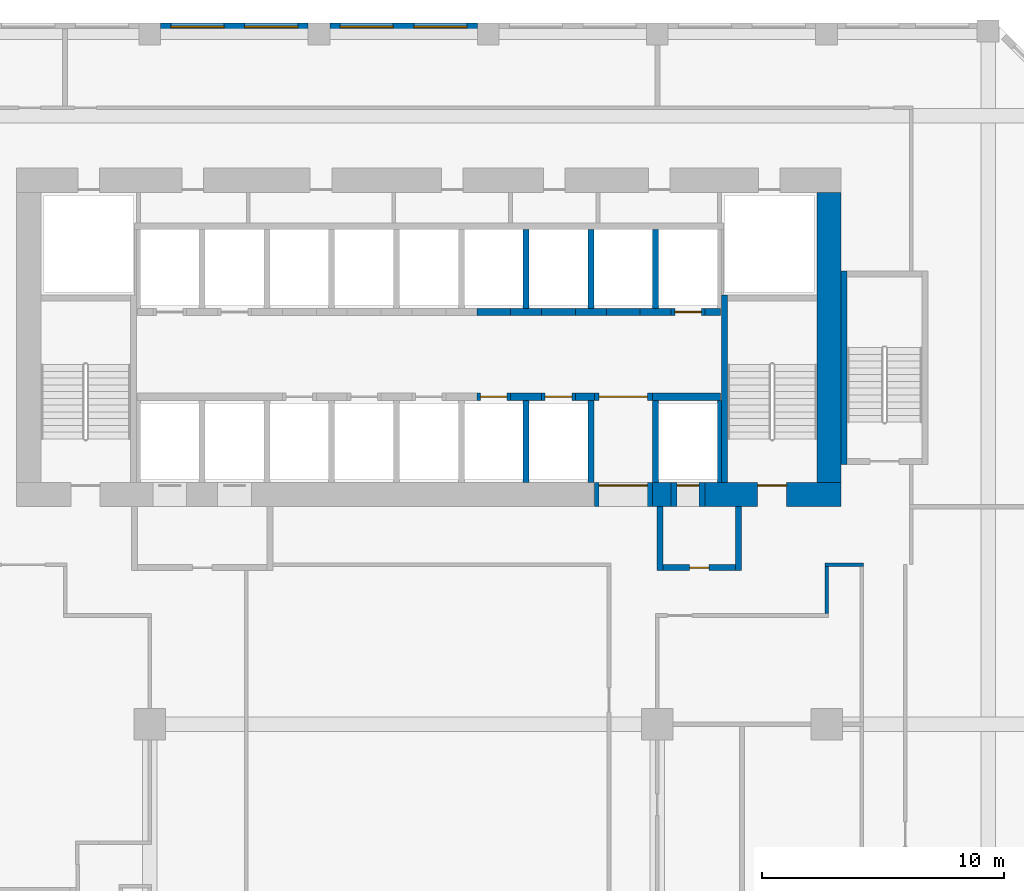
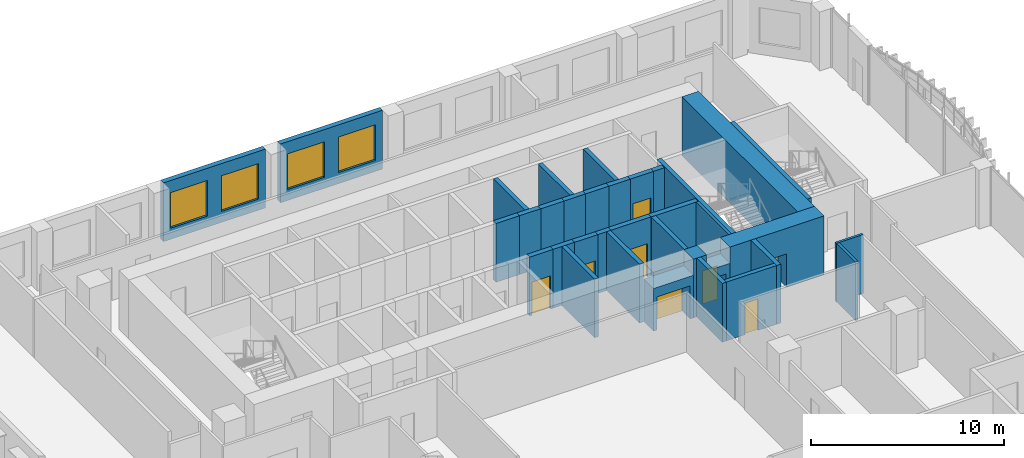
# One storey, part 14 of 24: 35 walls, 8 doors, 4 windows, 12 openings.
"""IFC4 building model written with IfcOpenShell, lengths in metres."""

from ifc_helpers import new_model, si_unit, direction, frame, frame_2d, origin, place, context, subcontext, project, spatial, rectangle, extrude, source, transform, mapped, material, layer, layer_set, type_object, element, fill, save


model = new_model("IFC4")

# Units and contexts
model_context = context("Model", 3, precision=1e-05, world=origin(), true_north=direction((0.0, 1.0)))
body_context = subcontext(model_context, "Body", "Model", "MODEL_VIEW")
ifc_project = project(units=[si_unit("LENGTHUNIT", "METRE"), si_unit("AREAUNIT", "SQUARE_METRE"), si_unit("VOLUMEUNIT", "CUBIC_METRE"), si_unit("PLANEANGLEUNIT", "RADIAN"), si_unit("MASSUNIT", "GRAM", prefix="KILO")], contexts=[model_context])

# Site, building, storey
site_placement = place(None, origin())
site = spatial("IfcSite", under=ifc_project, at=site_placement, CompositionType="ELEMENT")
building_placement = place(site_placement, origin())
building = spatial("IfcBuilding", under=site, at=building_placement, Name="Kilnfold Tower and Market Hall", CompositionType="ELEMENT")
storey_placement = place(building_placement, frame((0.0, 0.0, 35.0)))
storey = spatial("IfcBuildingStorey", under=building, at=storey_placement, Name="L07", CompositionType="ELEMENT", Elevation=35.0)

# Walls
ifc_material_1 = material(Name="Gypsum board on steel studs", Category="steel")
ifc_layer_1 = layer(ifc_material_1, 0.14990234375)
ifc_layer_set_1 = layer_set([ifc_layer_1], Name="Gypsum board on steel studs")
wall_type_1 = type_object("IfcWallType", Name="WALL CORRIDOR 150", PredefinedType="PARTITIONING", material=ifc_layer_set_1)
wall_1_placement = place(storey_placement, frame((17.425048828125, 5.60009765625, 0.0), z_axis=(0.0, 0.0, 1.0), x_axis=(1.0, 0.0, 0.0)))
element("IfcWall", 1, at=wall_1_placement, inside=storey, type_object=wall_type_1, Name="Partition LY07.24", PredefinedType="PARTITIONING", context=body_context, shape_type="SweptSolid", body=[
    extrude(rectangle(XDim=1.599853515625, YDim=0.14990234375, at=frame_2d((0.7998046875, 0.0))), origin(), (0.0, 0.0, 1.0), 3.719970703125),
])
wall_2_placement = place(storey_placement, frame((17.5, 3.574951171875, 0.0), z_axis=(0.0, 0.0, 1.0), x_axis=(0.0, 1.0, 0.0)))
element("IfcWall", 2, at=wall_2_placement, inside=storey, type_object=wall_type_1, Name="Partition LY07.25", PredefinedType="PARTITIONING", context=body_context, shape_type="SweptSolid", body=[
    extrude(rectangle(XDim=1.949951171875, YDim=0.14990234375, at=frame_2d((0.97509765625, 0.0))), origin(), (0.0, 0.0, 1.0), 3.719970703125),
])
ifc_material_2 = material(Name="Concrete C80", Category="concrete")
ifc_layer_2 = layer(ifc_material_2, 1.0)
ifc_layer_set_2 = layer_set([ifc_layer_2], Name="Concrete C80")
wall_type_2 = type_object("IfcWallType", Name="CORE WALL 1000 C80", PredefinedType="SHEAR", material=ifc_layer_set_2)
shared_shape_1 = source(origin(), body_context, "Body", "SweptSolid", [
    extrude(rectangle(XDim=0.780029296875, YDim=1.0, at=frame_2d((0.39013671875, 0.0))), origin(), (0.0, 0.0, 1.0), 3.719970703125),
])
wall_3_placement = place(storey_placement, frame((10.2900390625, 8.5, 0.0), z_axis=(0.0, 0.0, 1.0), x_axis=(1.0, 0.0, 0.0)))
element("IfcWall", 3, at=wall_3_placement, inside=storey, type_object=wall_type_2, Name="Core outer wall south", PredefinedType="SHEAR", context=body_context, shape_type="MappedRepresentation", body=[
    mapped(shared_shape_1, transform((0.0, 0.0, 0.0))),
])

# Wall, opening, door
shared_shape_2 = source(origin(), body_context, "Body", "SweptSolid", [
    extrude(rectangle(XDim=5.630126953125, YDim=1.0, at=frame_2d((2.81494140625, 0.0))), origin(), (0.0, 0.0, 1.0), 3.719970703125),
])
wall_4_placement = place(storey_placement, frame((12.469970703125, 8.5, 0.0), z_axis=(0.0, 0.0, 1.0), x_axis=(1.0, 0.0, 0.0)))
wall_4 = element("IfcWall", 4, at=wall_4_placement, inside=storey, type_object=wall_type_2, Name="Core outer wall south", PredefinedType="SHEAR", context=body_context, shape_type="MappedRepresentation", body=[
    mapped(shared_shape_2, transform((0.0, 0.0, 0.0))),
])
opening_1_placement = place(wall_4_placement, frame((2.179931640625, 0.0, 0.0)))
opening_1 = element("IfcOpeningElement", 5, at=opening_1_placement, cuts=wall_4, Name="Opening SD1", PredefinedType="OPENING", context=body_context, shape_type="SweptSolid", body=[
    extrude(rectangle(XDim=1.199951171875, YDim=2.10009765625, at=frame_2d((0.60009765625, 1.050048828125))), frame((0.0, 0.510009765625, 0.0), z_axis=(0.0, -1.0, 0.0), x_axis=(1.0, 0.0, 0.0)), (0.0, 0.0, 1.0), 1.02001953125),
])
ifc_material_3 = material(Name="Steel door set with fire-resisting leaf", Category="steel")
door_type_1 = type_object("IfcDoorType", Name="STAIR FLOOR DOOR 1200X2100", OperationType="NOTDEFINED", PredefinedType="DOOR", material=ifc_material_3)
door_1_placement = place(opening_1_placement, origin())
door_1 = element("IfcDoor", 6, at=door_1_placement, inside=storey, type_object=door_type_1, Name="Exit stair ST2 door", OperationType="DOUBLE_DOOR_SINGLE_SWING", OverallHeight=2.10009765625, OverallWidth=1.199951171875, PredefinedType="DOOR", context=body_context, shape_type="SweptSolid", body=[
    extrude(rectangle(XDim=1.199951171875, YDim=2.10009765625, at=frame_2d((0.60009765625, 1.050048828125))), frame((0.0, 0.40478515625, 0.0), z_axis=(0.0, -1.0, 0.0), x_axis=(1.0, 0.0, 0.0)), (0.0, 0.0, 1.0), 0.050048828125),
])
fill(opening_1, door_1)

# Walls
shared_shape_3 = source(origin(), body_context, "Body", "SweptSolid", [
    extrude(rectangle(XDim=12.0, YDim=1.0, at=frame_2d((6.0, 0.0))), origin(), (0.0, 0.0, 1.0), 3.719970703125),
])
wall_5_placement = place(storey_placement, frame((17.60009765625, 9.0, 0.0), z_axis=(0.0, 0.0, 1.0), x_axis=(0.0, 1.0, 0.0)))
element("IfcWall", 7, at=wall_5_placement, inside=storey, type_object=wall_type_2, Name="Core outer wall east", PredefinedType="SHEAR", context=body_context, shape_type="MappedRepresentation", body=[
    mapped(shared_shape_3, transform((0.0, 0.0, 0.0))),
])
ifc_material_4 = material(Name="Concrete C80", Category="concrete")
ifc_layer_3 = layer(ifc_material_4, 0.25)
ifc_layer_set_3 = layer_set([ifc_layer_3], Name="Concrete C80")
wall_type_3 = type_object("IfcWallType", Name="CORE WALL 250 C80", PredefinedType="SHEAR", material=ifc_layer_set_3)
shared_shape_4 = source(origin(), body_context, "Body", "SweptSolid", [
    extrude(rectangle(XDim=7.75, YDim=0.25, at=frame_2d((3.875, 0.0))), origin(), (0.0, 0.0, 1.0), 3.719970703125),
])
wall_6_placement = place(storey_placement, frame((13.27490234375, 9.0, 0.0), z_axis=(0.0, 0.0, 1.0), x_axis=(0.0, 1.0, 0.0)))
element("IfcWall", 8, at=wall_6_placement, inside=storey, type_object=wall_type_3, Name="Stair enclosure ST2", PredefinedType="SHEAR", context=body_context, shape_type="MappedRepresentation", body=[
    mapped(shared_shape_4, transform((0.0, 0.0, 0.0))),
])
shared_shape_5 = source(origin(), body_context, "Body", "SweptSolid", [
    extrude(rectangle(XDim=8.0, YDim=0.25, at=frame_2d((4.0, 0.0))), origin(), (0.0, 0.0, 1.0), 3.719970703125),
])
wall_7_placement = place(storey_placement, frame((18.22509765625, 9.75, 0.0), z_axis=(0.0, 0.0, 1.0), x_axis=(0.0, 1.0, 0.0)))
element("IfcWall", 9, at=wall_7_placement, inside=storey, type_object=wall_type_3, Name="Stair enclosure ST5", PredefinedType="SHEAR", context=body_context, shape_type="MappedRepresentation", body=[
    mapped(shared_shape_5, transform((0.0, 0.0, 0.0))),
])
ifc_material_5 = material(Name="Concrete C80", Category="concrete")
ifc_layer_4 = layer(ifc_material_5, 0.300048828125)
ifc_layer_set_4 = layer_set([ifc_layer_4], Name="Concrete C80")
wall_type_4 = type_object("IfcWallType", Name="CORE WALL 300 C80", PredefinedType="SHEAR", material=ifc_layer_set_4)
shared_shape_6 = source(origin(), body_context, "Body", "SweptSolid", [
    extrude(rectangle(XDim=1.280029296875, YDim=0.300048828125, at=frame_2d((0.64013671875, 0.0))), origin(), (0.0, 0.0, 1.0), 3.719970703125),
])
for number, where, z_axis, x_axis, name in (
    (10, (4.429931640625, 12.550048828125, 0.0), (0.0, 0.0, 1.0), (1.0, 0.0, 0.0), "Core spine wall"),
    (11, (4.429931640625, 16.050048828125, 0.0), (0.0, 0.0, 1.0), (1.0, 0.0, 0.0), "Core spine wall"),
    (12, (9.7900390625, 16.050048828125, 0.0), (0.0, 0.0, 1.0), (1.0, 0.0, 0.0), "Core spine wall"),
):
    element("IfcWall", number, at=place(storey_placement, frame(where, z_axis=z_axis, x_axis=x_axis)), inside=storey, type_object=wall_type_4, Name=name, PredefinedType="SHEAR", context=body_context, shape_type="MappedRepresentation", body=[
        mapped(shared_shape_6, transform((0.0, 0.0, 0.0))),
    ])
shared_shape_7 = source(origin(), body_context, "Body", "SweptSolid", [
    extrude(rectangle(XDim=0.77978515625, YDim=0.300048828125, at=frame_2d((0.389892578125, 0.0))), origin(), (0.0, 0.0, 1.0), 3.719970703125),
])
wall_8_placement = place(storey_placement, frame((7.110107421875, 12.550048828125, 0.0), z_axis=(0.0, 0.0, 1.0), x_axis=(1.0, 0.0, 0.0)))
element("IfcWall", 13, at=wall_8_placement, inside=storey, type_object=wall_type_4, Name="Core spine wall", PredefinedType="SHEAR", context=body_context, shape_type="MappedRepresentation", body=[
    mapped(shared_shape_7, transform((0.0, 0.0, 0.0))),
])
shared_shape_8 = source(origin(), body_context, "Body", "SweptSolid", [
    extrude(rectangle(XDim=2.820068359375, YDim=0.300048828125, at=frame_2d((1.41015625, 0.0))), origin(), (0.0, 0.0, 1.0), 3.719970703125),
])
wall_9_placement = place(storey_placement, frame((10.2900390625, 12.550048828125, 0.0), z_axis=(0.0, 0.0, 1.0), x_axis=(1.0, 0.0, 0.0)))
element("IfcWall", 14, at=wall_9_placement, inside=storey, type_object=wall_type_4, Name="Core spine wall", PredefinedType="SHEAR", context=body_context, shape_type="MappedRepresentation", body=[
    mapped(shared_shape_8, transform((0.0, 0.0, 0.0))),
])
shared_shape_9 = source(origin(), body_context, "Body", "SweptSolid", [
    extrude(rectangle(XDim=1.27978515625, YDim=0.300048828125, at=frame_2d((0.639892578125, 0.0))), origin(), (0.0, 0.0, 1.0), 3.719970703125),
])
wall_10_placement = place(storey_placement, frame((7.110107421875, 16.050048828125, 0.0), z_axis=(0.0, 0.0, 1.0), x_axis=(1.0, 0.0, 0.0)))
element("IfcWall", 15, at=wall_10_placement, inside=storey, type_object=wall_type_4, Name="Core spine wall", PredefinedType="SHEAR", context=body_context, shape_type="MappedRepresentation", body=[
    mapped(shared_shape_9, transform((0.0, 0.0, 0.0))),
])
shared_shape_10 = source(origin(), body_context, "Body", "SweptSolid", [
    extrude(rectangle(XDim=0.64013671875, YDim=0.300048828125, at=frame_2d((0.320068359375, 0.0))), origin(), (0.0, 0.0, 1.0), 3.719970703125),
])
wall_11_placement = place(storey_placement, frame((12.469970703125, 16.050048828125, 0.0), z_axis=(0.0, 0.0, 1.0), x_axis=(1.0, 0.0, 0.0)))
element("IfcWall", 16, at=wall_11_placement, inside=storey, type_object=wall_type_4, Name="Core spine wall", PredefinedType="SHEAR", context=body_context, shape_type="MappedRepresentation", body=[
    mapped(shared_shape_10, transform((0.0, 0.0, 0.0))),
])

# Wall, openings, windows
ifc_material_6 = material(Name="Precast concrete C50/60", Category="concrete")
ifc_layer_5 = layer(ifc_material_6, 0.300048828125)
ifc_layer_set_5 = layer_set([ifc_layer_5], Name="Precast concrete C50/60")
wall_type_5 = type_object("IfcWallType", Name="PRECAST WALL 300", PredefinedType="SOLIDWALL", material=ifc_layer_set_5)
shared_shape_11 = source(origin(), body_context, "Body", "SweptSolid", [
    extrude(rectangle(XDim=6.10009765625, YDim=0.300048828125, at=frame_2d((3.050048828125, 0.0))), origin(), (0.0, 0.0, 1.0), 3.719970703125),
])
wall_12_placement = place(storey_placement, frame((3.050048828125, 27.85009765625, 0.0), z_axis=(0.0, 0.0, 1.0), x_axis=(-1.0, 0.0, 0.0)))
wall_12 = element("IfcWall", 17, at=wall_12_placement, inside=storey, type_object=wall_type_5, Name="External wall L07 N", PredefinedType="SOLIDWALL", context=body_context, shape_type="MappedRepresentation", body=[
    mapped(shared_shape_11, transform((0.0, 0.0, 0.0))),
])
opening_2_placement = place(wall_12_placement, frame((0.425048828125, 0.0, 0.699951171875)))
opening_2 = element("IfcOpeningElement", 18, at=opening_2_placement, cuts=wall_12, Name="Opening W1", PredefinedType="OPENING", context=body_context, shape_type="SweptSolid", body=[
    extrude(rectangle(XDim=2.199951171875, YDim=2.25, at=frame_2d((1.10009765625, 1.125))), frame((0.0, 0.16015625, 0.0), z_axis=(0.0, -1.0, 0.0), x_axis=(1.0, 0.0, 0.0)), (0.0, 0.0, 1.0), 0.320068359375),
])
opening_3_placement = place(wall_12_placement, frame((3.47509765625, 0.0, 0.699951171875)))
opening_3 = element("IfcOpeningElement", 19, at=opening_3_placement, cuts=wall_12, Name="Opening W1", PredefinedType="OPENING", context=body_context, shape_type="SweptSolid", body=[
    extrude(rectangle(XDim=2.199951171875, YDim=2.25, at=frame_2d((1.10009765625, 1.125))), frame((0.0, 0.16015625, 0.0), z_axis=(0.0, -1.0, 0.0), x_axis=(1.0, 0.0, 0.0)), (0.0, 0.0, 1.0), 0.320068359375),
])
ifc_material_7 = material(Name="Aluminium frame and double glazing", Category="aluminium")
window_type = type_object("IfcWindowType", Name="WINDOW W1 2200X2250", PartitioningType="SINGLE_PANEL", PredefinedType="WINDOW", material=ifc_material_7)
window_1_placement = place(opening_2_placement, origin())
window_1 = element("IfcWindow", 20, at=window_1_placement, inside=storey, type_object=window_type, Name="Window W1 L07 N-1", OverallHeight=2.25, OverallWidth=2.199951171875, PartitioningType="SINGLE_PANEL", PredefinedType="WINDOW", context=body_context, shape_type="SweptSolid", body=[
    extrude(rectangle(XDim=2.199951171875, YDim=2.25, at=frame_2d((1.10009765625, 1.125))), frame((0.0, 0.030029296875, 0.0), z_axis=(0.0, -1.0, 0.0), x_axis=(1.0, 0.0, 0.0)), (0.0, 0.0, 1.0), 0.06005859375),
])
fill(opening_2, window_1)
window_2_placement = place(opening_3_placement, origin())
window_2 = element("IfcWindow", 21, at=window_2_placement, inside=storey, type_object=window_type, Name="Window W1 L07 N-2", OverallHeight=2.25, OverallWidth=2.199951171875, PartitioningType="SINGLE_PANEL", PredefinedType="WINDOW", context=body_context, shape_type="SweptSolid", body=[
    extrude(rectangle(XDim=2.199951171875, YDim=2.25, at=frame_2d((1.10009765625, 1.125))), frame((0.0, 0.030029296875, 0.0), z_axis=(0.0, -1.0, 0.0), x_axis=(1.0, 0.0, 0.0)), (0.0, 0.0, 1.0), 0.06005859375),
])
fill(opening_3, window_2)

wall_13_placement = place(storey_placement, frame((-3.949951171875, 27.85009765625, 0.0), z_axis=(0.0, 0.0, 1.0), x_axis=(-1.0, 0.0, 0.0)))
wall_13 = element("IfcWall", 22, at=wall_13_placement, inside=storey, type_object=wall_type_5, Name="External wall L07 N", PredefinedType="SOLIDWALL", context=body_context, shape_type="MappedRepresentation", body=[
    mapped(shared_shape_11, transform((0.0, 0.0, 0.0))),
])
opening_4_placement = place(wall_13_placement, frame((0.425048828125, 0.0, 0.699951171875)))
opening_4 = element("IfcOpeningElement", 23, at=opening_4_placement, cuts=wall_13, Name="Opening W1", PredefinedType="OPENING", context=body_context, shape_type="SweptSolid", body=[
    extrude(rectangle(XDim=2.199951171875, YDim=2.25, at=frame_2d((1.10009765625, 1.125))), frame((0.0, 0.16015625, 0.0), z_axis=(0.0, -1.0, 0.0), x_axis=(1.0, 0.0, 0.0)), (0.0, 0.0, 1.0), 0.320068359375),
])
opening_5_placement = place(wall_13_placement, frame((3.47509765625, 0.0, 0.699951171875)))
opening_5 = element("IfcOpeningElement", 24, at=opening_5_placement, cuts=wall_13, Name="Opening W1", PredefinedType="OPENING", context=body_context, shape_type="SweptSolid", body=[
    extrude(rectangle(XDim=2.199951171875, YDim=2.25, at=frame_2d((1.10009765625, 1.125))), frame((0.0, 0.16015625, 0.0), z_axis=(0.0, -1.0, 0.0), x_axis=(1.0, 0.0, 0.0)), (0.0, 0.0, 1.0), 0.320068359375),
])
window_3_placement = place(opening_4_placement, origin())
window_3 = element("IfcWindow", 25, at=window_3_placement, inside=storey, type_object=window_type, Name="Window W1 L07 N-1", OverallHeight=2.25, OverallWidth=2.199951171875, PartitioningType="SINGLE_PANEL", PredefinedType="WINDOW", context=body_context, shape_type="SweptSolid", body=[
    extrude(rectangle(XDim=2.199951171875, YDim=2.25, at=frame_2d((1.10009765625, 1.125))), frame((0.0, 0.030029296875, 0.0), z_axis=(0.0, -1.0, 0.0), x_axis=(1.0, 0.0, 0.0)), (0.0, 0.0, 1.0), 0.06005859375),
])
fill(opening_4, window_3)
window_4_placement = place(opening_5_placement, origin())
window_4 = element("IfcWindow", 26, at=window_4_placement, inside=storey, type_object=window_type, Name="Window W1 L07 N-2", OverallHeight=2.25, OverallWidth=2.199951171875, PartitioningType="SINGLE_PANEL", PredefinedType="WINDOW", context=body_context, shape_type="SweptSolid", body=[
    extrude(rectangle(XDim=2.199951171875, YDim=2.25, at=frame_2d((1.10009765625, 1.125))), frame((0.0, 0.030029296875, 0.0), z_axis=(0.0, -1.0, 0.0), x_axis=(1.0, 0.0, 0.0)), (0.0, 0.0, 1.0), 0.06005859375),
])
fill(opening_5, window_4)

# Wall, opening, door
ifc_material_8 = material(Name="Gypsum shaft wall system")
ifc_layer_6 = layer(ifc_material_8, 1.0)
ifc_layer_set_6 = layer_set([ifc_layer_6], Name="Gypsum shaft wall system")
wall_type_6 = type_object("IfcWallType", Name="LOBBY WALL 1000", PredefinedType="PARTITIONING", material=ifc_layer_set_6)
shared_shape_12 = source(origin(), body_context, "Body", "SweptSolid", [
    extrude(rectangle(XDim=1.39990234375, YDim=1.0, at=frame_2d((0.699951171875, 0.0))), origin(), (0.0, 0.0, 1.0), 2.699951171875),
])
wall_14_placement = place(storey_placement, frame((11.070068359375, 8.5, 0.0), z_axis=(0.0, 0.0, 1.0), x_axis=(1.0, 0.0, 0.0)))
wall_14 = element("IfcWall", 27, at=wall_14_placement, inside=storey, type_object=wall_type_6, Name="Core wall infill", PredefinedType="PARTITIONING", context=body_context, shape_type="MappedRepresentation", body=[
    mapped(shared_shape_12, transform((0.0, 0.0, 0.0))),
])
opening_6_placement = place(wall_14_placement, frame((0.25, 0.0, 0.0)))
opening_6 = element("IfcOpeningElement", 28, at=opening_6_placement, cuts=wall_14, Name="Opening LD1", PredefinedType="OPENING", context=body_context, shape_type="SweptSolid", body=[
    extrude(rectangle(XDim=0.89990234375, YDim=2.10009765625, at=frame_2d((0.449951171875, 1.050048828125))), frame((0.0, 0.510009765625, 0.0), z_axis=(0.0, -1.0, 0.0), x_axis=(1.0, 0.0, 0.0)), (0.0, 0.0, 1.0), 1.02001953125),
])
ifc_material_9 = material(Name="Steel door set with fire-resisting leaf", Category="steel")
door_type_2 = type_object("IfcDoorType", Name="FIREFIGHTING LANDING DOOR 900X2100", OperationType="NOTDEFINED", PredefinedType="DOOR", material=ifc_material_9)
door_2_placement = place(opening_6_placement, origin())
door_2 = element("IfcDoor", 29, at=door_2_placement, inside=storey, type_object=door_type_2, Name="Landing door FF3", OperationType="SLIDING_TO_LEFT", OverallHeight=2.10009765625, OverallWidth=0.89990234375, PredefinedType="DOOR", context=body_context, shape_type="SweptSolid", body=[
    extrude(rectangle(XDim=0.89990234375, YDim=2.10009765625, at=frame_2d((0.449951171875, 1.050048828125))), frame((0.0, 0.40478515625, 0.0), z_axis=(0.0, -1.0, 0.0), x_axis=(1.0, 0.0, 0.0)), (0.0, 0.0, 1.0), 0.050048828125),
])
fill(opening_6, door_2)

shared_shape_13 = source(origin(), body_context, "Body", "SweptSolid", [
    extrude(rectangle(XDim=2.400146484375, YDim=1.0, at=frame_2d((1.2001953125, 0.0))), origin(), (0.0, 0.0, 1.0), 2.699951171875),
])
wall_15_placement = place(storey_placement, frame((7.889892578125, 8.5, 0.0), z_axis=(0.0, 0.0, 1.0), x_axis=(1.0, 0.0, 0.0)))
wall_15 = element("IfcWall", 30, at=wall_15_placement, inside=storey, type_object=wall_type_6, Name="Core wall infill", PredefinedType="PARTITIONING", context=body_context, shape_type="MappedRepresentation", body=[
    mapped(shared_shape_13, transform((0.0, 0.0, 0.0))),
])
opening_7_placement = place(wall_15_placement, frame((0.199951171875, 0.0, 0.0)))
opening_7 = element("IfcOpeningElement", 31, at=opening_7_placement, cuts=wall_15, Name="Opening VD2", PredefinedType="OPENING", context=body_context, shape_type="SweptSolid", body=[
    extrude(rectangle(XDim=2.0, YDim=2.10009765625, at=frame_2d((1.0, 1.050048828125))), frame((0.0, 0.510009765625, 0.0), z_axis=(0.0, -1.0, 0.0), x_axis=(1.0, 0.0, 0.0)), (0.0, 0.0, 1.0), 1.02001953125),
])
ifc_material_10 = material(Name="Steel door set with fire-resisting leaf", Category="steel")
door_type_3 = type_object("IfcDoorType", Name="LIFT LOBBY ENTRANCE DOOR 2000X2100", OperationType="NOTDEFINED", PredefinedType="DOOR", material=ifc_material_10)
door_3_placement = place(opening_7_placement, origin())
door_3 = element("IfcDoor", 32, at=door_3_placement, inside=storey, type_object=door_type_3, Name="Lift lobby entrance door", OperationType="DOUBLE_DOOR_SINGLE_SWING", OverallHeight=2.10009765625, OverallWidth=2.0, PredefinedType="DOOR", context=body_context, shape_type="SweptSolid", body=[
    extrude(rectangle(XDim=2.0, YDim=2.10009765625, at=frame_2d((1.0, 1.050048828125))), frame((0.0, 0.40478515625, 0.0), z_axis=(0.0, -1.0, 0.0), x_axis=(1.0, 0.0, 0.0)), (0.0, 0.0, 1.0), 0.050048828125),
])
fill(opening_7, door_3)

ifc_material_11 = material(Name="Gypsum shaft wall system")
ifc_layer_7 = layer(ifc_material_11, 0.300048828125)
ifc_layer_set_7 = layer_set([ifc_layer_7], Name="Gypsum shaft wall system")
wall_type_7 = type_object("IfcWallType", Name="SHAFT WALL 300", PredefinedType="PARTITIONING", material=ifc_layer_set_7)
shared_shape_14 = source(origin(), body_context, "Body", "SweptSolid", [
    extrude(rectangle(XDim=1.39990234375, YDim=0.300048828125, at=frame_2d((0.699951171875, 0.0))), origin(), (0.0, 0.0, 1.0), 3.719970703125),
])
wall_16_placement = place(storey_placement, frame((3.030029296875, 12.550048828125, 0.0), z_axis=(0.0, 0.0, 1.0), x_axis=(1.0, 0.0, 0.0)))
wall_16 = element("IfcWall", 33, at=wall_16_placement, inside=storey, type_object=wall_type_7, Name="Lift shaft front wall", PredefinedType="PARTITIONING", context=body_context, shape_type="MappedRepresentation", body=[
    mapped(shared_shape_14, transform((0.0, 0.0, 0.0))),
])
opening_8_placement = place(wall_16_placement, frame((0.14990234375, 0.0, 0.0)))
opening_8 = element("IfcOpeningElement", 34, at=opening_8_placement, cuts=wall_16, Name="Opening LD2", PredefinedType="OPENING", context=body_context, shape_type="SweptSolid", body=[
    extrude(rectangle(XDim=1.10009765625, YDim=2.10009765625, at=frame_2d((0.550048828125, 1.050048828125))), frame((0.0, 0.16015625, 0.0), z_axis=(0.0, -1.0, 0.0), x_axis=(1.0, 0.0, 0.0)), (0.0, 0.0, 1.0), 0.320068359375),
])
ifc_material_12 = material(Name="Steel door set with fire-resisting leaf", Category="steel")
door_type_4 = type_object("IfcDoorType", Name="LANDING DOOR 1100X2100", OperationType="NOTDEFINED", PredefinedType="DOOR", material=ifc_material_12)
door_4_placement = place(opening_8_placement, origin())
door_4 = element("IfcDoor", 35, at=door_4_placement, inside=storey, type_object=door_type_4, Name="Landing door LR4", OperationType="DOUBLE_DOOR_SLIDING", OverallHeight=2.10009765625, OverallWidth=1.10009765625, PredefinedType="DOOR", context=body_context, shape_type="SweptSolid", body=[
    extrude(rectangle(XDim=1.10009765625, YDim=2.10009765625, at=frame_2d((0.550048828125, 1.050048828125))), frame((0.0, 0.02490234375, 0.0), z_axis=(0.0, -1.0, 0.0), x_axis=(1.0, 0.0, 0.0)), (0.0, 0.0, 1.0), 0.050048828125),
])
fill(opening_8, door_4)

wall_17_placement = place(storey_placement, frame((11.070068359375, 16.050048828125, 0.0), z_axis=(0.0, 0.0, 1.0), x_axis=(1.0, 0.0, 0.0)))
wall_17 = element("IfcWall", 36, at=wall_17_placement, inside=storey, type_object=wall_type_7, Name="Lift shaft front wall", PredefinedType="PARTITIONING", context=body_context, shape_type="MappedRepresentation", body=[
    mapped(shared_shape_14, transform((0.0, 0.0, 0.0))),
])
opening_9_placement = place(wall_17_placement, frame((0.14990234375, 0.0, 0.0)))
opening_9 = element("IfcOpeningElement", 37, at=opening_9_placement, cuts=wall_17, Name="Opening LD2", PredefinedType="OPENING", context=body_context, shape_type="SweptSolid", body=[
    extrude(rectangle(XDim=1.10009765625, YDim=2.10009765625, at=frame_2d((0.550048828125, 1.050048828125))), frame((0.0, 0.16015625, 0.0), z_axis=(0.0, -1.0, 0.0), x_axis=(1.0, 0.0, 0.0)), (0.0, 0.0, 1.0), 0.320068359375),
])
door_5_placement = place(opening_9_placement, origin())
door_5 = element("IfcDoor", 38, at=door_5_placement, inside=storey, type_object=door_type_4, Name="Landing door LR6", OperationType="DOUBLE_DOOR_SLIDING", OverallHeight=2.10009765625, OverallWidth=1.10009765625, PredefinedType="DOOR", context=body_context, shape_type="SweptSolid", body=[
    extrude(rectangle(XDim=1.10009765625, YDim=2.10009765625, at=frame_2d((0.550048828125, 1.050048828125))), frame((0.0, 0.02490234375, 0.0), z_axis=(0.0, -1.0, 0.0), x_axis=(1.0, 0.0, 0.0)), (0.0, 0.0, 1.0), 0.050048828125),
])
fill(opening_9, door_5)

# Wall
wall_18_placement = place(storey_placement, frame((3.030029296875, 16.050048828125, 0.0), z_axis=(0.0, 0.0, 1.0), x_axis=(1.0, 0.0, 0.0)))
element("IfcWall", 39, at=wall_18_placement, inside=storey, type_object=wall_type_7, Name="Lift shaft front wall", PredefinedType="PARTITIONING", context=body_context, shape_type="MappedRepresentation", body=[
    mapped(shared_shape_14, transform((0.0, 0.0, 0.0))),
])

# Wall, opening, door
shared_shape_15 = source(origin(), body_context, "Body", "SweptSolid", [
    extrude(rectangle(XDim=1.400146484375, YDim=0.300048828125, at=frame_2d((0.7001953125, 0.0))), origin(), (0.0, 0.0, 1.0), 3.719970703125),
])
wall_19_placement = place(storey_placement, frame((5.7099609375, 12.550048828125, 0.0), z_axis=(0.0, 0.0, 1.0), x_axis=(1.0, 0.0, 0.0)))
wall_19 = element("IfcWall", 40, at=wall_19_placement, inside=storey, type_object=wall_type_7, Name="Lift shaft front wall", PredefinedType="PARTITIONING", context=body_context, shape_type="MappedRepresentation", body=[
    mapped(shared_shape_15, transform((0.0, 0.0, 0.0))),
])
opening_10_placement = place(wall_19_placement, frame((0.14990234375, 0.0, 0.0)))
opening_10 = element("IfcOpeningElement", 41, at=opening_10_placement, cuts=wall_19, Name="Opening LD2", PredefinedType="OPENING", context=body_context, shape_type="SweptSolid", body=[
    extrude(rectangle(XDim=1.10009765625, YDim=2.10009765625, at=frame_2d((0.550048828125, 1.050048828125))), frame((0.0, 0.16015625, 0.0), z_axis=(0.0, -1.0, 0.0), x_axis=(1.0, 0.0, 0.0)), (0.0, 0.0, 1.0), 0.320068359375),
])
door_6_placement = place(opening_10_placement, origin())
door_6 = element("IfcDoor", 42, at=door_6_placement, inside=storey, type_object=door_type_4, Name="Landing door LR5", OperationType="DOUBLE_DOOR_SLIDING", OverallHeight=2.10009765625, OverallWidth=1.10009765625, PredefinedType="DOOR", context=body_context, shape_type="SweptSolid", body=[
    extrude(rectangle(XDim=1.10009765625, YDim=2.10009765625, at=frame_2d((0.550048828125, 1.050048828125))), frame((0.0, 0.02490234375, 0.0), z_axis=(0.0, -1.0, 0.0), x_axis=(1.0, 0.0, 0.0)), (0.0, 0.0, 1.0), 0.050048828125),
])
fill(opening_10, door_6)

# Walls
for number, where, z_axis, x_axis, name in (
    (43, (5.7099609375, 16.050048828125, 0.0), (0.0, 0.0, 1.0), (1.0, 0.0, 0.0), "Lift shaft front wall"),
    (44, (8.389892578125, 16.050048828125, 0.0), (0.0, 0.0, 1.0), (1.0, 0.0, 0.0), "Lift shaft front wall"),
):
    element("IfcWall", number, at=place(storey_placement, frame(where, z_axis=z_axis, x_axis=x_axis)), inside=storey, type_object=wall_type_7, Name=name, PredefinedType="PARTITIONING", context=body_context, shape_type="MappedRepresentation", body=[
        mapped(shared_shape_15, transform((0.0, 0.0, 0.0))),
    ])

# Wall, opening, door
shared_shape_16 = source(origin(), body_context, "Body", "SweptSolid", [
    extrude(rectangle(XDim=2.400146484375, YDim=0.300048828125, at=frame_2d((1.2001953125, 0.0))), origin(), (0.0, 0.0, 1.0), 3.719970703125),
])
wall_20_placement = place(storey_placement, frame((7.889892578125, 12.550048828125, 0.0), z_axis=(0.0, 0.0, 1.0), x_axis=(1.0, 0.0, 0.0)))
wall_20 = element("IfcWall", 45, at=wall_20_placement, inside=storey, type_object=wall_type_7, Name="Lift shaft front wall", PredefinedType="PARTITIONING", context=body_context, shape_type="MappedRepresentation", body=[
    mapped(shared_shape_16, transform((0.0, 0.0, 0.0))),
])
opening_11_placement = place(wall_20_placement, frame((0.199951171875, 0.0, 0.0)))
opening_11 = element("IfcOpeningElement", 46, at=opening_11_placement, cuts=wall_20, Name="Opening VD2", PredefinedType="OPENING", context=body_context, shape_type="SweptSolid", body=[
    extrude(rectangle(XDim=2.0, YDim=2.10009765625, at=frame_2d((1.0, 1.050048828125))), frame((0.0, 0.16015625, 0.0), z_axis=(0.0, -1.0, 0.0), x_axis=(1.0, 0.0, 0.0)), (0.0, 0.0, 1.0), 0.320068359375),
])
door_7_placement = place(opening_11_placement, origin())
door_7 = element("IfcDoor", 47, at=door_7_placement, inside=storey, type_object=door_type_3, Name="Lift lobby entrance door", OperationType="DOUBLE_DOOR_SINGLE_SWING", OverallHeight=2.10009765625, OverallWidth=2.0, PredefinedType="DOOR", context=body_context, shape_type="SweptSolid", body=[
    extrude(rectangle(XDim=2.0, YDim=2.10009765625, at=frame_2d((1.0, 1.050048828125))), frame((0.0, 0.02490234375, 0.0), z_axis=(0.0, -1.0, 0.0), x_axis=(1.0, 0.0, 0.0)), (0.0, 0.0, 1.0), 0.050048828125),
])
fill(opening_11, door_7)

# Walls
ifc_material_13 = material(Name="Gypsum shaft wall system")
ifc_layer_8 = layer(ifc_material_13, 0.25)
ifc_layer_set_8 = layer_set([ifc_layer_8], Name="Gypsum shaft wall system")
wall_type_8 = type_object("IfcWallType", Name="LOBBY WALL 250", PredefinedType="PARTITIONING", material=ifc_layer_set_8)
shared_shape_17 = source(origin(), body_context, "Body", "SweptSolid", [
    extrude(rectangle(XDim=2.64990234375, YDim=0.25, at=frame_2d((1.324951171875, 0.0))), origin(), (0.0, 0.0, 1.0), 3.719970703125),
])
for number, where, z_axis, x_axis, name in (
    (48, (10.60498046875, 5.35009765625, 0.0), (0.0, 0.0, 1.0), (0.0, 1.0, 0.0), "Firefighting lobby wall"),
    (49, (13.85498046875, 5.35009765625, 0.0), (0.0, 0.0, 1.0), (0.0, 1.0, 0.0), "Firefighting lobby wall"),
):
    element("IfcWall", number, at=place(storey_placement, frame(where, z_axis=z_axis, x_axis=x_axis)), inside=storey, type_object=wall_type_8, Name=name, PredefinedType="PARTITIONING", context=body_context, shape_type="MappedRepresentation", body=[
        mapped(shared_shape_17, transform((0.0, 0.0, 0.0))),
    ])

# Wall, opening, door
shared_shape_18 = source(origin(), body_context, "Body", "SweptSolid", [
    extrude(rectangle(XDim=3.0, YDim=0.25, at=frame_2d((1.5, 0.0))), origin(), (0.0, 0.0, 1.0), 3.719970703125),
])
wall_21_placement = place(storey_placement, frame((10.72998046875, 5.47509765625, 0.0), z_axis=(0.0, 0.0, 1.0), x_axis=(1.0, 0.0, 0.0)))
wall_21 = element("IfcWall", 50, at=wall_21_placement, inside=storey, type_object=wall_type_8, Name="Firefighting lobby wall", PredefinedType="PARTITIONING", context=body_context, shape_type="MappedRepresentation", body=[
    mapped(shared_shape_18, transform((0.0, 0.0, 0.0))),
])
opening_12_placement = place(wall_21_placement, frame((1.10009765625, 0.0, 0.0)))
opening_12 = element("IfcOpeningElement", 51, at=opening_12_placement, cuts=wall_21, Name="Opening VD1", PredefinedType="OPENING", context=body_context, shape_type="SweptSolid", body=[
    extrude(rectangle(XDim=0.800048828125, YDim=2.0, at=frame_2d((0.39990234375, 1.0))), frame((0.0, 0.135009765625, 0.0), z_axis=(0.0, -1.0, 0.0), x_axis=(1.0, 0.0, 0.0)), (0.0, 0.0, 1.0), 0.27001953125),
])
ifc_material_14 = material(Name="Steel door set with fire-resisting leaf", Category="steel")
door_type_5 = type_object("IfcDoorType", Name="FIREFIGHTING LOBBY DOOR 800X2000", OperationType="NOTDEFINED", PredefinedType="DOOR", material=ifc_material_14)
door_8_placement = place(opening_12_placement, origin())
door_8 = element("IfcDoor", 52, at=door_8_placement, inside=storey, type_object=door_type_5, Name="Firefighting lobby door", OperationType="SINGLE_SWING_RIGHT", OverallHeight=2.0, OverallWidth=0.800048828125, PredefinedType="DOOR", context=body_context, shape_type="SweptSolid", body=[
    extrude(rectangle(XDim=0.800048828125, YDim=2.0, at=frame_2d((0.39990234375, 1.0))), frame((0.0, 0.02490234375, 0.0), z_axis=(0.0, -1.0, 0.0), x_axis=(1.0, 0.0, 0.0)), (0.0, 0.0, 1.0), 0.050048828125),
])
fill(opening_12, door_8)

# Walls
ifc_material_15 = material(Name="Gypsum shaft wall system")
ifc_layer_9 = layer(ifc_material_15, 0.25)
ifc_layer_set_9 = layer_set([ifc_layer_9], Name="Gypsum shaft wall system")
wall_type_9 = type_object("IfcWallType", Name="SHAFT WALL 250", PredefinedType="PARTITIONING", material=ifc_layer_set_9)
shared_shape_19 = source(origin(), body_context, "Body", "SweptSolid", [
    extrude(rectangle(XDim=3.275146484375, YDim=0.25, at=frame_2d((1.6376953125, 0.0))), origin(), (0.0, 0.0, 1.0), 3.719970703125),
])
for number, where, z_axis, x_axis, name in (
    (53, (10.429931640625, 16.199951171875, 0.0), (0.0, 0.0, 1.0), (0.0, 1.0, 0.0), "Lift shaft wall"),
    (54, (5.070068359375, 16.199951171875, 0.0), (0.0, 0.0, 1.0), (0.0, 1.0, 0.0), "Lift shaft wall"),
    (55, (7.75, 16.199951171875, 0.0), (0.0, 0.0, 1.0), (0.0, 1.0, 0.0), "Lift shaft wall"),
):
    element("IfcWall", number, at=place(storey_placement, frame(where, z_axis=z_axis, x_axis=x_axis)), inside=storey, type_object=wall_type_9, Name=name, PredefinedType="PARTITIONING", context=body_context, shape_type="MappedRepresentation", body=[
        mapped(shared_shape_19, transform((0.0, 0.0, 0.0))),
    ])
shared_shape_20 = source(origin(), body_context, "Body", "SweptSolid", [
    extrude(rectangle(XDim=3.39990234375, YDim=0.25, at=frame_2d((1.699951171875, 0.0))), origin(), (0.0, 0.0, 1.0), 3.719970703125),
])
for number, where, z_axis, x_axis, name in (
    (56, (10.429931640625, 9.0, 0.0), (0.0, 0.0, 1.0), (0.0, 1.0, 0.0), "Lift shaft wall"),
    (57, (5.070068359375, 9.0, 0.0), (0.0, 0.0, 1.0), (0.0, 1.0, 0.0), "Lift shaft wall"),
    (58, (7.75, 9.0, 0.0), (0.0, 0.0, 1.0), (0.0, 1.0, 0.0), "Lift shaft wall"),
):
    element("IfcWall", number, at=place(storey_placement, frame(where, z_axis=z_axis, x_axis=x_axis)), inside=storey, type_object=wall_type_9, Name=name, PredefinedType="PARTITIONING", context=body_context, shape_type="MappedRepresentation", body=[
        mapped(shared_shape_20, transform((0.0, 0.0, 0.0))),
    ])
ifc_material_16 = material(Name="Gypsum shaft wall system")
ifc_layer_10 = layer(ifc_material_16, 0.1650390625)
ifc_layer_set_10 = layer_set([ifc_layer_10], Name="Gypsum shaft wall system")
wall_type_10 = type_object("IfcWallType", Name="SHAFT WALL 165", PredefinedType="PARTITIONING", material=ifc_layer_set_10)
shared_shape_21 = source(origin(), body_context, "Body", "SweptSolid", [
    extrude(rectangle(XDim=3.39990234375, YDim=0.1650390625, at=frame_2d((1.699951171875, 0.0))), origin(), (0.0, 0.0, 1.0), 3.719970703125),
])
wall_22_placement = place(storey_placement, frame((13.0673828125, 9.0, 0.0), z_axis=(0.0, 0.0, 1.0), x_axis=(0.0, 1.0, 0.0)))
element("IfcWall", 59, at=wall_22_placement, inside=storey, type_object=wall_type_10, Name="Lift shaft wall", PredefinedType="PARTITIONING", context=body_context, shape_type="MappedRepresentation", body=[
    mapped(shared_shape_21, transform((0.0, 0.0, 0.0))),
])

save(model, "model.ifc")
